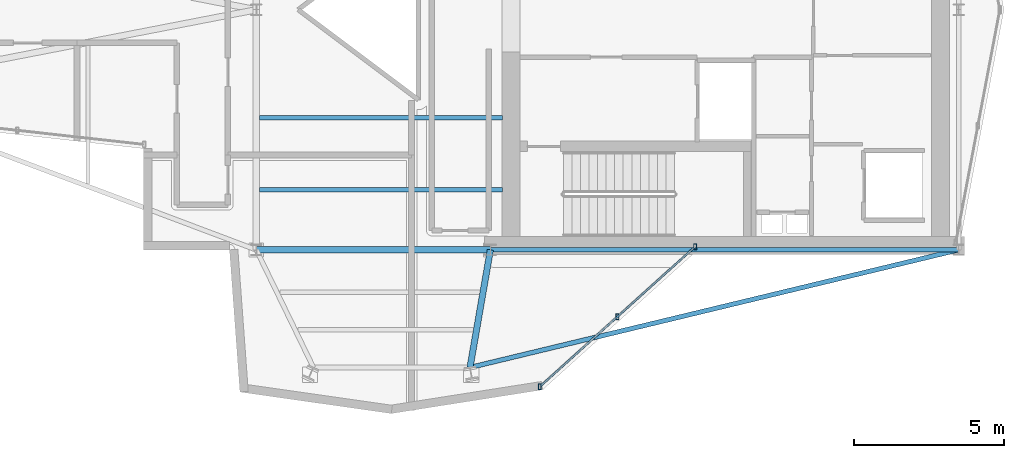
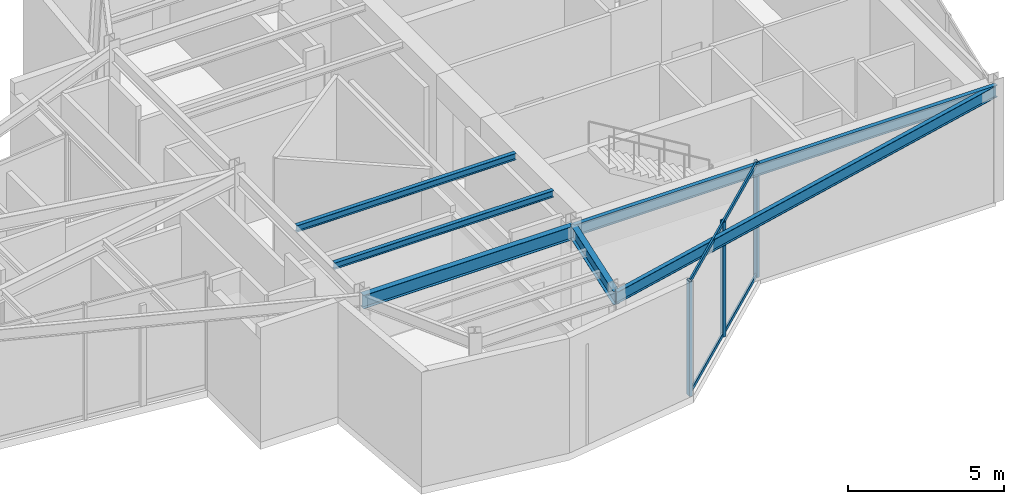
# One storey, part 3 of 11: 6 beams, 5 members, 1 element without a shape of its own.
"""IFC4 building model written with IfcOpenShell, lengths in metres."""

from ifc_helpers import new_model, si_unit, direction, frame, origin, origin_2d, place, context, subcontext, project, spatial, hollow_rectangle, i_section, extrude, material, layer, layer_set, material_profile, profile_set, type_object, element, aggregate, save


model = new_model("IFC4")

# Units and contexts
model_context = context("Model", 3, precision=1e-05, world=origin(), true_north=direction((0.0, 1.0)))
body_context = subcontext(model_context, "Body", "Model", "MODEL_VIEW")
ifc_project = project(units=[si_unit("LENGTHUNIT", "METRE"), si_unit("AREAUNIT", "SQUARE_METRE"), si_unit("VOLUMEUNIT", "CUBIC_METRE"), si_unit("PLANEANGLEUNIT", "RADIAN"), si_unit("MASSUNIT", "GRAM", prefix="KILO")], contexts=[model_context])

# Site, building, storey
site_placement = place(None, origin())
site = spatial("IfcSite", under=ifc_project, at=site_placement, CompositionType="ELEMENT")
building_placement = place(site_placement, origin())
building = spatial("IfcBuilding", under=site, at=building_placement, Name="Veymaron Broadcast Tower", CompositionType="ELEMENT")
storey_placement = place(building_placement, frame((0.0, 0.0, 327.60009765625)))
storey = spatial("IfcBuildingStorey", under=building, at=storey_placement, Name="L77", CompositionType="ELEMENT", Elevation=327.60009765625)

# Beams
ifc_material_1 = material(Name="Structural steel ASTM A992 Gr 50", Category="steel")
ifc_material_profile_1 = material_profile(ifc_material_1, i_section(OverallWidth=0.208984375, OverallDepth=0.528076171875, WebThickness=0.009521484375, FlangeThickness=0.01318359375, at=origin_2d()), Name="W530X82")
ifc_profile_set_1 = profile_set([ifc_material_profile_1], Name="Structural steel ASTM A992 Gr 50")
beam_type_1 = type_object("IfcBeamType", Name="BM-FG4", PredefinedType="BEAM", material=ifc_profile_set_1)
beam_1_placement = place(storey_placement, frame((31.199951171875, 16.0, 4.2158203125), z_axis=(1.0, 0.0, 0.0), x_axis=(0.0, 1.0, 0.0)))
element("IfcBeam", 1, at=beam_1_placement, inside=storey, type_object=beam_type_1, Name="L77 primary structural floor girder", PredefinedType="BEAM", context=body_context, shape_type="SweptSolid", body=[
    extrude(i_section(OverallWidth=0.208984375, OverallDepth=0.528076171875, WebThickness=0.009521484375, FlangeThickness=0.01318359375, at=origin_2d()), origin(), (0.0, 0.0, 1.0), 7.800048828125),
])
beam_2_placement = place(storey_placement, frame((39.0, 16.0, 4.2158203125), z_axis=(-0.170903490874, -0.985287773601, 0.0), x_axis=(0.985287773601, -0.170903490874, 0.0)))
element("IfcBeam", 2, at=beam_2_placement, inside=storey, type_object=beam_type_1, Name="L77 primary structural floor girder", PredefinedType="BEAM", context=body_context, shape_type="SweptSolid", body=[
    extrude(i_section(OverallWidth=0.208984375, OverallDepth=0.528076171875, WebThickness=0.009521484375, FlangeThickness=0.01318359375, at=origin_2d()), origin(), (0.0, 0.0, 1.0), 3.978515625),
])
ifc_material_profile_2 = material_profile(ifc_material_1, i_section(OverallWidth=0.14599609375, OverallDepth=0.258056640625, WebThickness=0.006103515625, FlangeThickness=0.009033203125, at=origin_2d()), Name="W250X33")
ifc_profile_set_2 = profile_set([ifc_material_profile_2], Name="Structural steel ASTM A992 Gr 50")
beam_type_2 = type_object("IfcBeamType", Name="BM-JS4", PredefinedType="JOIST", material=ifc_profile_set_2)
for number, where, z_axis, x_axis, name in (
    (3, (31.300048828125, 18.0, 4.350830078125), (1.0, 0.0, 0.0), (0.0, 1.0, 0.0), "L77 Hub secondary joist 1"),
    (4, (31.300048828125, 20.39990234375, 4.350830078125), (1.0, 0.0, 0.0), (0.0, 1.0, 0.0), "L77 Hub secondary joist 2"),
):
    element("IfcBeam", number, at=place(storey_placement, frame(where, z_axis=z_axis, x_axis=x_axis)), inside=storey, type_object=beam_type_2, Name=name, PredefinedType="JOIST", context=body_context, shape_type="SweptSolid", body=[
        extrude(i_section(OverallWidth=0.14599609375, OverallDepth=0.258056640625, WebThickness=0.006103515625, FlangeThickness=0.009033203125, at=origin_2d()), origin(), (0.0, 0.0, 1.0), 8.099853515625),
    ])
ifc_material_profile_3 = material_profile(ifc_material_1, i_section(OverallWidth=0.154052734375, OverallDepth=0.458984375, WebThickness=0.009033203125, FlangeThickness=0.015380859375, at=origin_2d()), Name="W460X68")
ifc_profile_set_3 = profile_set([ifc_material_profile_3], Name="Structural steel ASTM A992 Gr 50")
beam_type_3 = type_object("IfcBeamType", Name="BM-SP2", PredefinedType="SPANDREL", material=ifc_profile_set_3)
beam_3_placement = place(storey_placement, frame((39.0, 16.0, 4.25048828125), z_axis=(1.0, 0.0, 0.0), x_axis=(0.0, 1.0, 0.0)))
element("IfcBeam", 5, at=beam_3_placement, inside=storey, type_object=beam_type_3, Name="L77 primary structural floor girder", PredefinedType="SPANDREL", context=body_context, shape_type="SweptSolid", body=[
    extrude(i_section(OverallWidth=0.154052734375, OverallDepth=0.458984375, WebThickness=0.009033203125, FlangeThickness=0.015380859375, at=origin_2d()), origin(), (0.0, 0.0, 1.0), 15.60009765625),
])
beam_4_placement = place(storey_placement, frame((54.60009765625, 16.0, 4.25048828125), z_axis=(-0.972214727981, -0.23409084283, 0.0), x_axis=(0.23409084283, -0.972214727981, 0.0)))
element("IfcBeam", 6, at=beam_4_placement, inside=storey, type_object=beam_type_3, Name="L77 primary structural floor girder", PredefinedType="SPANDREL", context=body_context, shape_type="SweptSolid", body=[
    extrude(i_section(OverallWidth=0.154052734375, OverallDepth=0.458984375, WebThickness=0.009033203125, FlangeThickness=0.015380859375, at=origin_2d()), origin(), (0.0, 0.0, 1.0), 16.745361328125),
])

# Curtain wall, members
ifc_material_2 = material(Name="Anodised aluminium AA 6063-T6 and laminated low-E dark glass", Category="aluminium")
ifc_layer = layer(ifc_material_2, 0.179931640625)
ifc_layer_set = layer_set([ifc_layer], Name="Anodised aluminium AA 6063-T6 and laminated low-E dark glass")
curtain_wall_type = type_object("IfcCurtainWallType", Name="CW-SYS-07", PredefinedType="NOTDEFINED", material=ifc_layer_set)
curtain_wall_placement = place(storey_placement, origin())
curtain_wall = element("IfcCurtainWall", 7, at=curtain_wall_placement, inside=storey, type_object=curtain_wall_type, Name="L77 dark-glass curtain wall CW-L77-E20-1", PredefinedType="NOTDEFINED")
ifc_material_3 = material(Name="Anodised aluminium AA 6063-T6", Category="aluminium")
ifc_material_profile_4 = material_profile(ifc_material_3, hollow_rectangle(XDim=0.10009765625, YDim=0.199951171875, WallThickness=0.010009765625, at=origin_2d()), Name="RHS200X100X10")
ifc_profile_set_4 = profile_set([ifc_material_profile_4], Name="Anodised aluminium AA 6063-T6")
member_type_1 = type_object("IfcMemberType", Name="CW-MUL-01", PredefinedType="MULLION", material=ifc_profile_set_4)
member_1_placement = place(storey_placement, frame((40.6455078125, 11.43994140625, 0.0), z_axis=(0.0, 0.0, 1.0), x_axis=(1.0, 0.0, 0.0)))
member_1 = element("IfcMember", 8, at=member_1_placement, type_object=member_type_1, Name="CW-L77-E20-1 mullion 0", PredefinedType="MULLION", context=body_context, shape_type="SweptSolid", body=[
    extrude(hollow_rectangle(XDim=0.10009765625, YDim=0.199951171875, WallThickness=0.010009765625, at=origin_2d()), origin(), (0.0, 0.0, 1.0), 4.47998046875),
])
member_2_placement = place(storey_placement, frame((43.232177734375, 13.77197265625, 0.0), z_axis=(0.0, 0.0, 1.0), x_axis=(1.0, 0.0, 0.0)))
member_2 = element("IfcMember", 9, at=member_2_placement, type_object=member_type_1, Name="CW-L77-E20-1 mullion 1", PredefinedType="MULLION", context=body_context, shape_type="SweptSolid", body=[
    extrude(hollow_rectangle(XDim=0.10009765625, YDim=0.199951171875, WallThickness=0.010009765625, at=origin_2d()), origin(), (0.0, 0.0, 1.0), 4.47998046875),
])
member_3_placement = place(storey_placement, frame((45.81884765625, 16.10400390625, 0.0), z_axis=(0.0, 0.0, 1.0), x_axis=(1.0, 0.0, 0.0)))
member_3 = element("IfcMember", 10, at=member_3_placement, type_object=member_type_1, Name="CW-L77-E20-1 mullion 2", PredefinedType="MULLION", context=body_context, shape_type="SweptSolid", body=[
    extrude(hollow_rectangle(XDim=0.10009765625, YDim=0.199951171875, WallThickness=0.010009765625, at=origin_2d()), origin(), (0.0, 0.0, 1.0), 4.47998046875),
])
ifc_material_profile_5 = material_profile(ifc_material_3, hollow_rectangle(XDim=0.06494140625, YDim=0.14990234375, WallThickness=0.00390625, at=origin_2d()), Name="AL150X65X4")
ifc_profile_set_5 = profile_set([ifc_material_profile_5], Name="Anodised aluminium AA 6063-T6")
member_type_2 = type_object("IfcMemberType", Name="CW-TRN-01", PredefinedType="USERDEFINED", material=ifc_profile_set_5)
member_4_placement = place(storey_placement, frame((40.6826171875, 11.473388671875, 0.06982421875), z_axis=(0.742717435914, 0.669604965923, 0.0), x_axis=(-0.669604965923, 0.742717435914, 0.0)))
member_4 = element("IfcMember", 11, at=member_4_placement, type_object=member_type_2, Name="CW-L77-E20-1 transom B", ObjectType="TRANSOM", PredefinedType="USERDEFINED", context=body_context, shape_type="SweptSolid", body=[
    extrude(hollow_rectangle(XDim=0.06494140625, YDim=0.14990234375, WallThickness=0.00390625, at=origin_2d()), origin(), (0.0, 0.0, 1.0), 6.865478515625),
])
member_5_placement = place(storey_placement, frame((40.6826171875, 11.473388671875, 4.409912109375), z_axis=(0.742717435914, 0.669604965923, 0.0), x_axis=(-0.669604965923, 0.742717435914, 0.0)))
member_5 = element("IfcMember", 12, at=member_5_placement, type_object=member_type_2, Name="CW-L77-E20-1 transom T", ObjectType="TRANSOM", PredefinedType="USERDEFINED", context=body_context, shape_type="SweptSolid", body=[
    extrude(hollow_rectangle(XDim=0.06494140625, YDim=0.14990234375, WallThickness=0.00390625, at=origin_2d()), origin(), (0.0, 0.0, 1.0), 6.865478515625),
])
aggregate(curtain_wall, [member_1, member_2, member_3, member_4, member_5])

save(model, "model.ifc")
